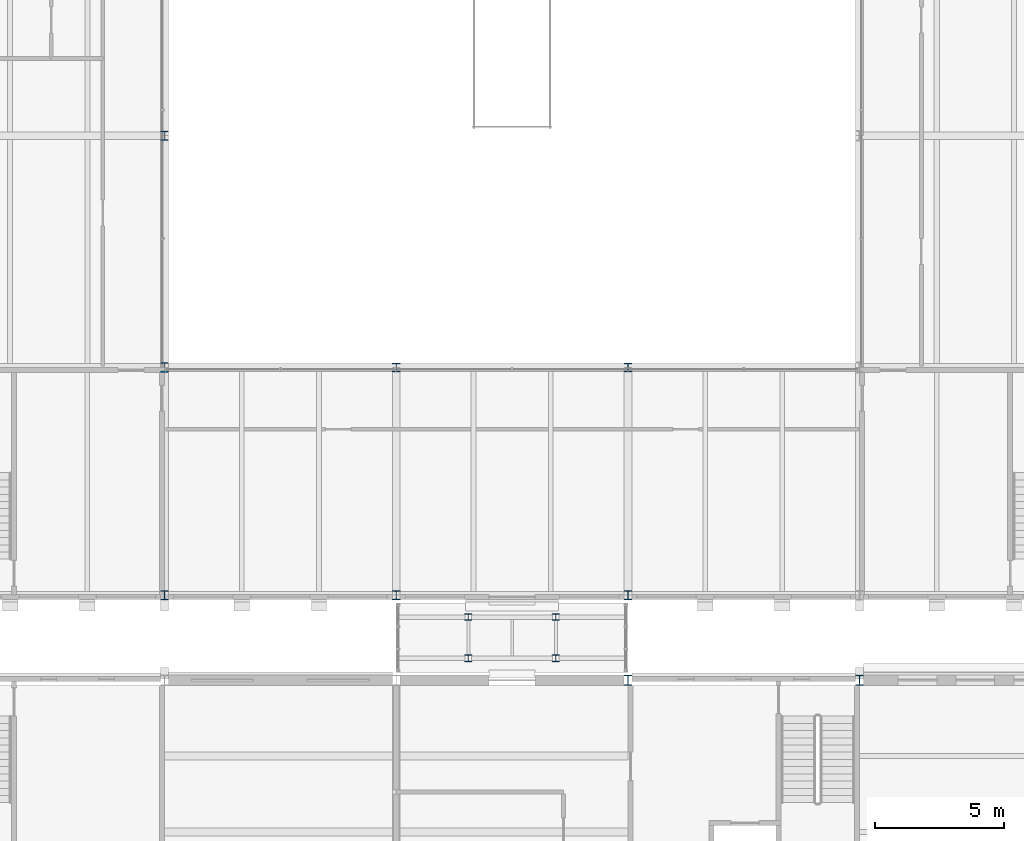
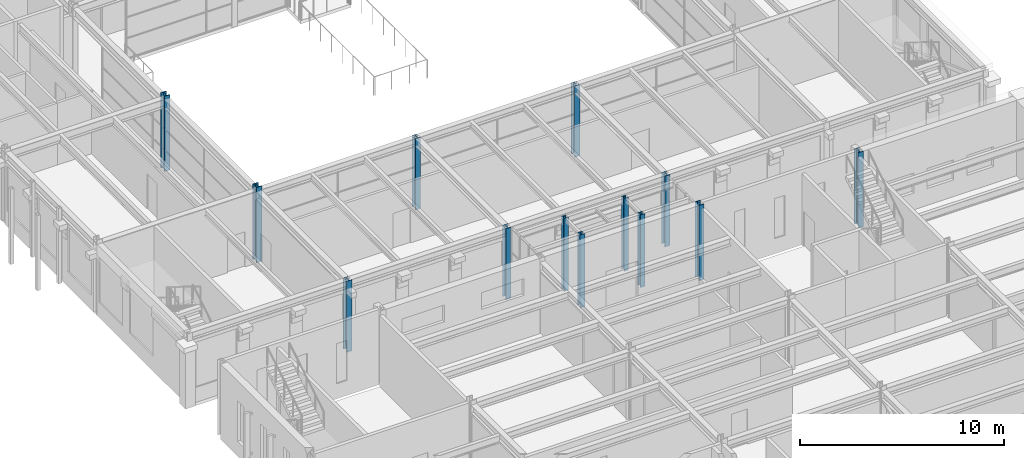
# One storey, part 5 of 153: 13 columns.
"""IFC4 building model written with IfcOpenShell, lengths in metres."""

import ifcopenshell
import ifcopenshell.guid

model = None  # the IFC model being written
_history = None  # IfcOwnerHistory: only IFC2X3 demands one
_inside = {}  # id of a spatial element -> (the spatial element, [elements in it])
_under = {}  # id of a project, library or spatial element -> (it, [spatial elements below it])
_declared = {}  # id of a project -> (the project, [libraries it declares])
_typed = {}  # id of a type object -> (the type object, [elements of that type])
_made_of = {}  # id of a material, layer set ... -> (it, [elements and type objects made of it])


def new_model(schema):
    """Start an empty IFC model of exactly this schema.

    Asked for "IFC4X3", IfcOpenShell would pick the latest addendum, in which some entities
    have other attributes; the version numbers below select the first issue.
    IFC2X3 requires an IfcOwnerHistory on every rooted entity: one is made here for all.
    """
    global model, _history
    if schema == "IFC4X3":
        model = ifcopenshell.file(schema_version=(4, 3, 0, 0))
    else:
        model = ifcopenshell.file(schema=schema)
    _inside.clear()
    _under.clear()
    _declared.clear()
    _typed.clear()
    _made_of.clear()
    _history = None
    if model.schema == "IFC2X3":
        org = make("IfcOrganization", Name="unknown")
        user = make(
            "IfcPersonAndOrganization",
            ThePerson=make("IfcPerson", FamilyName="unknown"),
            TheOrganization=org,
        )
        app = make(
            "IfcApplication",
            ApplicationDeveloper=org,
            Version="unknown",
            ApplicationFullName="unknown",
            ApplicationIdentifier="unknown",
        )
        _history = make(
            "IfcOwnerHistory",
            OwningUser=user,
            OwningApplication=app,
            ChangeAction="ADDED",
            CreationDate=0,
        )
    return model


def make(cls, **values):
    """One entity of the class cls with the attributes given. An attribute that is None is left unset."""
    return model.create_entity(
        cls, **{name: value for name, value in values.items() if value is not None}
    )


def rooted(cls, **values):
    """An entity with a GlobalId (a new one), such as an element, a storey or a relation."""
    return make(cls, GlobalId=ifcopenshell.guid.new(), OwnerHistory=_history, **values)


def si_unit(unit_type, name, prefix=None):
    """IfcSIUnit, for example si_unit("LENGTHUNIT", "METRE", prefix="MILLI")."""
    return make("IfcSIUnit", UnitType=unit_type, Prefix=prefix, Name=name)


def assignment(units):
    """IfcUnitAssignment: the units of a project."""
    return None if units is None else make("IfcUnitAssignment", Units=units)


def point(xyz):
    """IfcCartesianPoint."""
    return None if xyz is None else make("IfcCartesianPoint", Coordinates=xyz)


def direction(xyz):
    """IfcDirection."""
    return None if xyz is None else make("IfcDirection", DirectionRatios=xyz)


def frame(location, z_axis=None, x_axis=None):
    """IfcAxis2Placement3D, a coordinate frame: its origin and axes. An axis left out is left unset."""
    return make(
        "IfcAxis2Placement3D",
        Location=point(location),
        Axis=direction(z_axis),
        RefDirection=direction(x_axis),
    )


def frame_2d(location, x_axis=None):
    """IfcAxis2Placement2D, a coordinate frame in the plane: its origin and x axis."""
    return make(
        "IfcAxis2Placement2D", Location=point(location), RefDirection=direction(x_axis)
    )


def origin():
    """The frame at (0, 0, 0) with its axes left unset."""
    return frame((0.0, 0.0, 0.0))


def origin_2d():
    """The frame at (0, 0) in the plane with its x axis left unset."""
    return frame_2d((0.0, 0.0))


def place(relative_to, where):
    """IfcLocalPlacement: puts the frame where relative to a parent placement (None: the world)."""
    return make(
        "IfcLocalPlacement", PlacementRelTo=relative_to, RelativePlacement=where
    )


def context(
    kind, dimensions, precision=None, world=None, true_north=None, identifier=None
):
    """IfcGeometricRepresentationContext, for example the 3D "Model" context."""
    return make(
        "IfcGeometricRepresentationContext",
        ContextIdentifier=identifier,
        ContextType=kind,
        CoordinateSpaceDimension=dimensions,
        Precision=precision,
        WorldCoordinateSystem=world,
        TrueNorth=true_north,
    )


def subcontext(parent, identifier, kind, view, scale=None):
    """IfcGeometricRepresentationSubContext, for example "Body" below "Model"."""
    return make(
        "IfcGeometricRepresentationSubContext",
        ContextIdentifier=identifier,
        ContextType=kind,
        ParentContext=parent,
        TargetScale=scale,
        TargetView=view,
    )


def project(units=None, contexts=None):
    """IfcProject with its units and contexts."""
    return rooted(
        "IfcProject",
        Name="project",
        RepresentationContexts=contexts,
        UnitsInContext=assignment(units),
    )


def spatial(cls, under=None, at=None, **own):
    """A site, building, storey or space (cls), placed at a placement, below another one or the project."""
    s = rooted(cls, ObjectPlacement=at, **own)
    if under is not None:
        _under.setdefault(under.id(), (under, []))[1].append(s)
    return s


def profile(cls, at=None, kind="AREA", **sizes):
    """A parametric profile (cls). Its sizes go by their IFC names, for example OverallWidth=200.0."""
    return make(cls, ProfileType=kind, Position=at, **sizes)


def i_section(**sizes):
    """IfcIShapeProfileDef."""
    return profile("IfcIShapeProfileDef", **sizes)


def extrude(swept, where, along, depth):
    """IfcExtrudedAreaSolid: the profile swept, set in the frame where, extruded along a direction by depth."""
    return make(
        "IfcExtrudedAreaSolid",
        SweptArea=swept,
        Position=where,
        ExtrudedDirection=direction(along),
        Depth=depth,
    )


def shape(context_of_items, identifier, shape_type, items):
    """IfcShapeRepresentation: the items that make up one representation, for example the "Body"."""
    return make(
        "IfcShapeRepresentation",
        ContextOfItems=context_of_items,
        RepresentationIdentifier=identifier,
        RepresentationType=shape_type,
        Items=items,
    )


def material(Name=None, Category=None):
    """IfcMaterial."""
    return make("IfcMaterial", Name=Name, Category=Category)


def material_profile(
    of_material, cross_section, Name=None, Category=None, Priority=None
):
    """IfcMaterialProfile: a cross section and its material."""
    return make(
        "IfcMaterialProfile",
        Name=Name,
        Material=of_material,
        Profile=cross_section,
        Priority=Priority,
        Category=Category,
    )


def profile_set(profiles, Name=None, composite=None):
    """IfcMaterialProfileSet."""
    return make(
        "IfcMaterialProfileSet",
        Name=Name,
        MaterialProfiles=profiles,
        CompositeProfile=composite,
    )


def made_of(thing, what):
    """Note that an element or type object is made of a material, layer set ...; save() writes the relation."""
    if what is not None:
        _made_of.setdefault(what.id(), (what, []))[1].append(thing)
    return thing


def type_object(cls, material=None, **own):
    """A type object (cls), such as IfcWallType, which elements share."""
    return made_of(rooted(cls, **own), material)


def element(
    cls,
    number,
    at=None,
    inside=None,
    cuts=None,
    type_object=None,
    material=None,
    context=None,
    identifier="Body",
    shape_type=None,
    held_by="IfcProductDefinitionShape",
    body=None,
    shapes=None,
    **own,
):
    """One element of the class cls, such as IfcWall. Its Tag is "e" and its number.

    at: its placement. inside: the storey or other place that contains it. cuts: it is an
    opening in that element (IfcRelVoidsElement). A single representation is given by context,
    identifier, shape_type and body (its items); several are given by shapes. held_by: the class
    of the entity that holds the representations. save() writes the other relations.
    """
    e = rooted(cls, Tag="e%d" % number, ObjectPlacement=at, **own)
    if body is not None:
        shapes = [shape(context, identifier, shape_type, body)]
    if shapes is not None:
        e.Representation = make(held_by, Representations=shapes)
    if inside is not None:
        _inside.setdefault(inside.id(), (inside, []))[1].append(e)
    if cuts is not None:
        rooted(
            "IfcRelVoidsElement", RelatingBuildingElement=cuts, RelatedOpeningElement=e
        )
    if type_object is not None:
        _typed.setdefault(type_object.id(), (type_object, []))[1].append(e)
    return made_of(e, material)


def aggregate(whole, parts):
    """IfcRelAggregates: a whole, such as a stair, and the parts it consists of."""
    return rooted("IfcRelAggregates", RelatingObject=whole, RelatedObjects=parts)


def save(model, path):
    """Write the relations noted so far, then the file.

    IfcRelAggregates (storeys below a building ...), IfcRelContainedInSpatialStructure (elements
    in a storey), IfcRelDefinesByType, IfcRelAssociatesMaterial and IfcRelDeclares: one each for
    every whole, place, type object, material and project.
    """
    for whole, parts in _under.values():
        aggregate(whole, parts)
    for where, things in _inside.values():
        rooted(
            "IfcRelContainedInSpatialStructure",
            RelatedElements=things,
            RelatingStructure=where,
        )
    for kind, things in _typed.values():
        rooted("IfcRelDefinesByType", RelatedObjects=things, RelatingType=kind)
    for what, things in _made_of.values():
        rooted("IfcRelAssociatesMaterial", RelatedObjects=things, RelatingMaterial=what)
    for by, libraries in _declared.values():
        rooted("IfcRelDeclares", RelatingContext=by, RelatedDefinitions=libraries)
    model.write(path)


model = new_model("IFC4")

# Units and contexts
model_context = context("Model", 3, precision=1e-05, world=origin(), true_north=direction((0.0, 1.0)))
body_context = subcontext(model_context, "Body", "Model", "MODEL_VIEW")
ifc_project = project(units=[si_unit("LENGTHUNIT", "METRE"), si_unit("AREAUNIT", "SQUARE_METRE"), si_unit("VOLUMEUNIT", "CUBIC_METRE"), si_unit("PLANEANGLEUNIT", "RADIAN"), si_unit("MASSUNIT", "GRAM", prefix="KILO")], contexts=[model_context])

# Site, building, storey
site_placement = place(None, origin())
site = spatial("IfcSite", under=ifc_project, at=site_placement, CompositionType="ELEMENT")
building_placement = place(site_placement, origin())
building = spatial("IfcBuilding", under=site, at=building_placement, Name="Kallimachos Central Library", CompositionType="ELEMENT")
storey_placement = place(building_placement, frame((0.0, 0.0, 5.39990234375)))
storey = spatial("IfcBuildingStorey", under=building, at=storey_placement, Name="L01", CompositionType="ELEMENT", Elevation=5.39990234375)

# Columns
ifc_material_1 = material(Name="Steel S355J2", Category="steel")
ifc_material_profile_1 = material_profile(ifc_material_1, i_section(OverallWidth=0.260009765625, OverallDepth=0.260009765625, WebThickness=0.010009765625, FlangeThickness=0.017578125, FilletRadius=0.02392578125, at=origin_2d()), Name="HEB 260")
ifc_profile_set_1 = profile_set([ifc_material_profile_1], Name="Steel S355J2")
column_type_1 = type_object("IfcColumnType", Name="HEB 260 column", PredefinedType="COLUMN", material=ifc_profile_set_1)
for number, where, z_axis, x_axis, name in (
    (1, (86.300048828125, 45.699951171875, 0.0), (0.0, 0.0, 1.0), (1.0, 0.0, 0.0), "Stacks Link column"),
    (2, (86.300048828125, 47.300048828125, 0.0), (0.0, 0.0, 1.0), (1.0, 0.0, 0.0), "Stacks Link column"),
    (3, (89.699951171875, 45.699951171875, 0.0), (0.0, 0.0, 1.0), (1.0, 0.0, 0.0), "Stacks Link column"),
    (4, (89.699951171875, 47.300048828125, 0.0), (0.0, 0.0, 1.0), (1.0, 0.0, 0.0), "Stacks Link column"),
):
    element("IfcColumn", number, at=place(storey_placement, frame(where, z_axis=z_axis, x_axis=x_axis)), inside=storey, type_object=column_type_1, Name=name, PredefinedType="COLUMN", context=body_context, shape_type="SweptSolid", body=[
        extrude(i_section(OverallWidth=0.260009765625, OverallDepth=0.260009765625, WebThickness=0.010009765625, FlangeThickness=0.017578125, FilletRadius=0.02392578125, at=origin_2d()), origin(), (0.0, 0.0, 1.0), 4.35009765625),
    ])
ifc_material_2 = material(Name="Steel S355J2", Category="steel")
ifc_material_profile_2 = material_profile(ifc_material_2, i_section(OverallWidth=0.300048828125, OverallDepth=0.340087890625, WebThickness=0.011962890625, FlangeThickness=0.021484375, FilletRadius=0.027099609375, at=origin_2d()), Name="HEB 340")
ifc_profile_set_2 = profile_set([ifc_material_profile_2], Name="Steel S355J2")
column_type_2 = type_object("IfcColumnType", Name="HEB 340 column", PredefinedType="COLUMN", material=ifc_profile_set_2)
for number, where, z_axis, x_axis, name in (
    (5, (74.5, 48.14990234375, 0.0), (0.0, 0.0, 1.0), (1.0, 0.0, 0.0), "V4-COL-L01-004"),
    (6, (83.5, 48.14990234375, 0.0), (0.0, 0.0, 1.0), (1.0, 0.0, 0.0), "V4-COL-L01-005"),
    (7, (92.5, 48.14990234375, 0.0), (0.0, 0.0, 1.0), (1.0, 0.0, 0.0), "V4-COL-L01-006"),
    (8, (83.5, 57.0, 0.0), (0.0, 0.0, 1.0), (1.0, 0.0, 0.0), "V4-COL-L01-011"),
    (9, (92.5, 57.0, 0.0), (0.0, 0.0, 1.0), (1.0, 0.0, 0.0), "V4-COL-L01-012"),
):
    element("IfcColumn", number, at=place(storey_placement, frame(where, z_axis=z_axis, x_axis=x_axis)), inside=storey, type_object=column_type_2, Name=name, PredefinedType="COLUMN", context=body_context, shape_type="SweptSolid", body=[
        extrude(i_section(OverallWidth=0.300048828125, OverallDepth=0.340087890625, WebThickness=0.011962890625, FlangeThickness=0.021484375, FilletRadius=0.027099609375, at=origin_2d()), origin(), (0.0, 0.0, 1.0), 4.25),
    ])
ifc_material_3 = material(Name="Steel S355J2", Category="steel")
ifc_material_profile_3 = material_profile(ifc_material_3, i_section(OverallWidth=0.300048828125, OverallDepth=0.39990234375, WebThickness=0.013427734375, FlangeThickness=0.02392578125, FilletRadius=0.027099609375, at=origin_2d()), Name="HEB 400")
ifc_profile_set_3 = profile_set([ifc_material_profile_3], Name="Steel S355J2")
column_type_3 = type_object("IfcColumnType", Name="HEB 400 column", PredefinedType="COLUMN", material=ifc_profile_set_3)
for number, where, z_axis, x_axis, name in (
    (10, (92.5, 44.85009765625, 0.0), (0.0, 0.0, 1.0), (1.0, 0.0, 0.0), "V5-COL-L01-022"),
    (11, (101.5, 44.85009765625, 0.0), (0.0, 0.0, 1.0), (1.0, 0.0, 0.0), "V5-COL-L01-023"),
):
    element("IfcColumn", number, at=place(storey_placement, frame(where, z_axis=z_axis, x_axis=x_axis)), inside=storey, type_object=column_type_3, Name=name, PredefinedType="COLUMN", context=body_context, shape_type="SweptSolid", body=[
        extrude(i_section(OverallWidth=0.300048828125, OverallDepth=0.39990234375, WebThickness=0.013427734375, FlangeThickness=0.02392578125, FilletRadius=0.027099609375, at=origin_2d()), origin(), (0.0, 0.0, 1.0), 4.5),
    ])
ifc_material_4 = material(Name="Steel S355J2", Category="steel")
ifc_material_profile_4 = material_profile(ifc_material_4, i_section(OverallWidth=0.30908203125, OverallDepth=0.376953125, WebThickness=0.02099609375, FlangeThickness=0.0400390625, FilletRadius=0.027099609375, at=origin_2d()), Name="HEM 340")
ifc_profile_set_4 = profile_set([ifc_material_profile_4], Name="Steel S355J2")
column_type_4 = type_object("IfcColumnType", Name="HEM 340 column", PredefinedType="COLUMN", material=ifc_profile_set_4)
for number, where, z_axis, x_axis, name in (
    (12, (74.5, 57.0, 0.0), (0.0, 0.0, 1.0), (1.0, 0.0, 0.0), "V4-COL-L01-010"),
    (13, (74.5, 66.0, 0.0), (0.0, 0.0, 1.0), (1.0, 0.0, 0.0), "V4-COL-L01-016"),
):
    element("IfcColumn", number, at=place(storey_placement, frame(where, z_axis=z_axis, x_axis=x_axis)), inside=storey, type_object=column_type_4, Name=name, PredefinedType="COLUMN", context=body_context, shape_type="SweptSolid", body=[
        extrude(i_section(OverallWidth=0.30908203125, OverallDepth=0.376953125, WebThickness=0.02099609375, FlangeThickness=0.0400390625, FilletRadius=0.027099609375, at=origin_2d()), origin(), (0.0, 0.0, 1.0), 4.5),
    ])

save(model, "model.ifc")
